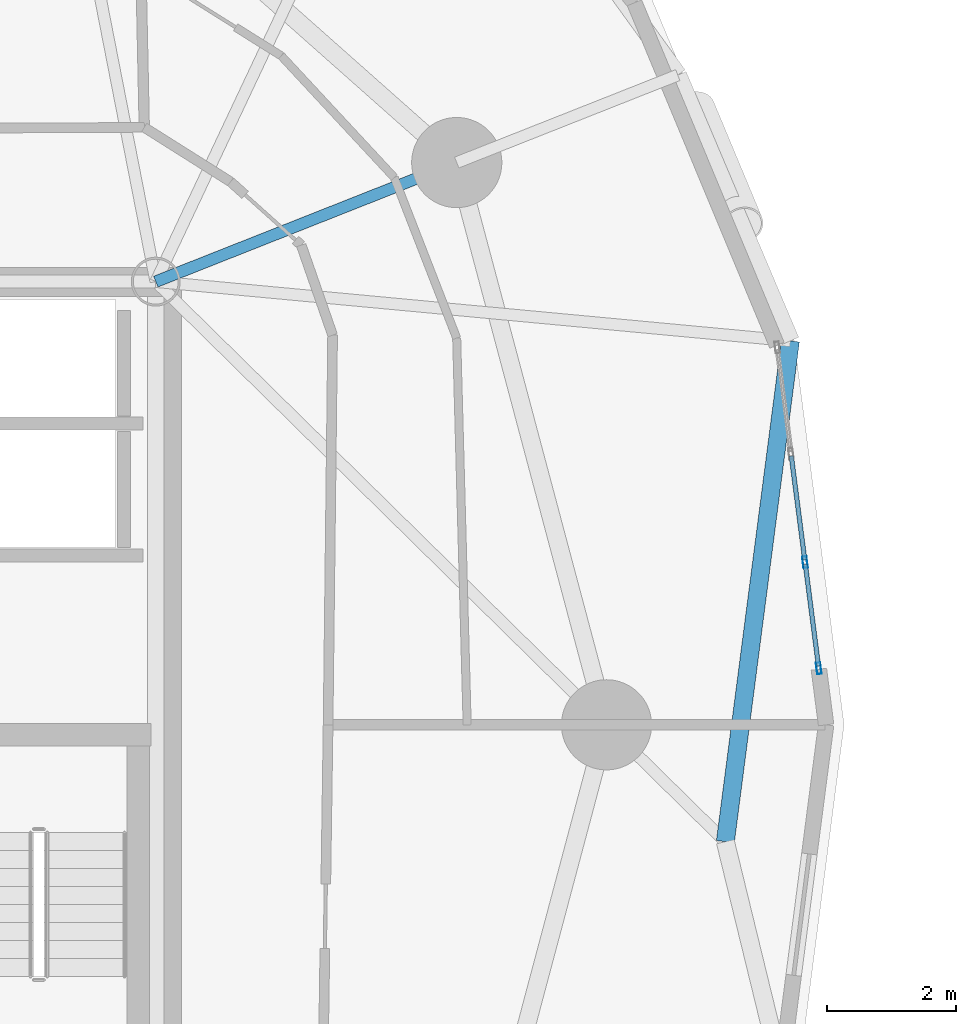
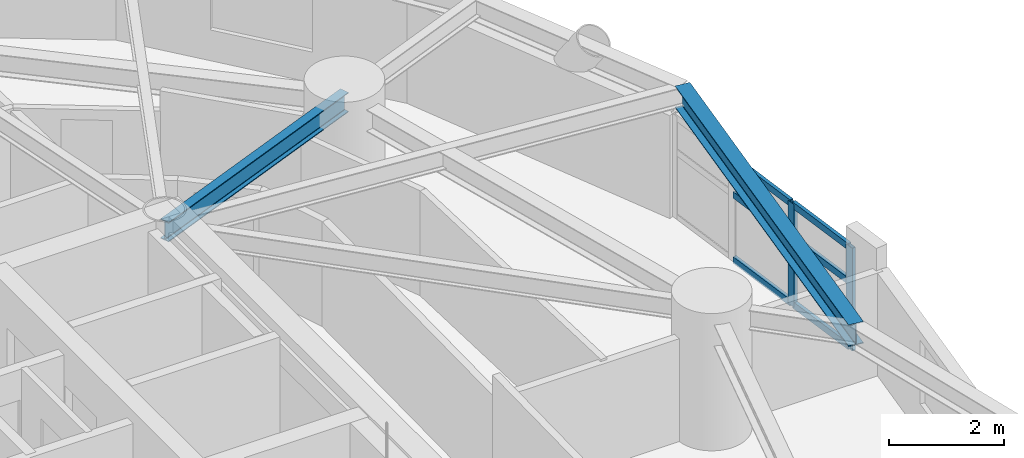
# One storey, part 2 of 18: 8 members, 2 beams, 1 element without a shape of its own.
"""IFC4 building model written with IfcOpenShell, lengths in metres."""

from ifc_helpers import new_model, si_unit, direction, frame, origin, origin_2d, place, context, subcontext, project, spatial, hollow_rectangle, i_section, extrude, material, layer, layer_set, material_profile, profile_set, type_object, element, aggregate, save


model = new_model("IFC4")

# Units and contexts
model_context = context("Model", 3, precision=1e-05, world=origin(), true_north=direction((0.0, 1.0)))
body_context = subcontext(model_context, "Body", "Model", "MODEL_VIEW")
ifc_project = project(units=[si_unit("LENGTHUNIT", "METRE"), si_unit("AREAUNIT", "SQUARE_METRE"), si_unit("VOLUMEUNIT", "CUBIC_METRE"), si_unit("PLANEANGLEUNIT", "RADIAN"), si_unit("MASSUNIT", "GRAM", prefix="KILO")], contexts=[model_context])

# Site, building, storey
site_placement = place(None, origin())
site = spatial("IfcSite", under=ifc_project, at=site_placement, CompositionType="ELEMENT")
building_placement = place(site_placement, origin())
building = spatial("IfcBuilding", under=site, at=building_placement, Name="Cununo Teusaquillo Station Towers", CompositionType="ELEMENT")
storey_placement = place(building_placement, frame((0.0, 0.0, 87.610107421875)))
storey = spatial("IfcBuildingStorey", under=building, at=storey_placement, Name="L27", CompositionType="ELEMENT", Elevation=87.610107421875)

# Beams
ifc_material_1 = material(Name="Steel ASTM A572 Grade 50", Category="steel")
ifc_material_profile_1 = material_profile(ifc_material_1, i_section(OverallWidth=0.180908203125, OverallDepth=0.4169921875, WebThickness=0.010986328125, FlangeThickness=0.018310546875, FilletRadius=0.012939453125, at=origin_2d()), Name="W16X57")
ifc_profile_set_1 = profile_set([ifc_material_profile_1], Name="Steel ASTM A572 Grade 50")
beam_type_1 = type_object("IfcBeamType", Name="BM-RAD-G2", PredefinedType="BEAM", material=ifc_profile_set_1)
beam_1_placement = place(storey_placement, frame((21.675048828125, 31.3798828125, 2.46142578125), z_axis=(0.929864104313, 0.367903176814, 0.0), x_axis=(-0.367903176814, 0.929864104313, 0.0)))
element("IfcBeam", 1, at=beam_1_placement, inside=storey, type_object=beam_type_1, Name="L27 Tower A Radial Girder 02A", PredefinedType="BEAM", context=body_context, shape_type="SweptSolid", body=[
    extrude(i_section(OverallWidth=0.180908203125, OverallDepth=0.4169921875, WebThickness=0.010986328125, FlangeThickness=0.018310546875, FilletRadius=0.012939453125, at=origin_2d()), origin(), (0.0, 0.0, 1.0), 5.02490234375),
])
ifc_material_2 = material(Name="Steel ASTM A572 Grade 50", Category="steel")
ifc_material_profile_2 = material_profile(ifc_material_2, i_section(OverallWidth=0.280029296875, OverallDepth=0.462890625, WebThickness=0.0107421875, FlangeThickness=0.017333984375, FilletRadius=0.013916015625, at=origin_2d()), Name="W18X76")
ifc_profile_set_2 = profile_set([ifc_material_profile_2], Name="Steel ASTM A572 Grade 50")
beam_type_2 = type_object("IfcBeamType", Name="BM-RING-Z2", PredefinedType="SPANDREL", material=ifc_profile_set_2)
beam_2_placement = place(storey_placement, frame((30.51708984375, 22.685791015625, 2.4384765625), z_axis=(0.12888124113, 0.991660035337, 0.0), x_axis=(-0.991660035337, 0.12888124113, 0.0)))
element("IfcBeam", 2, at=beam_2_placement, inside=storey, type_object=beam_type_2, Name="L27 Tower A Spandrel Ring Beam 01", PredefinedType="SPANDREL", context=body_context, shape_type="SweptSolid", body=[
    extrude(i_section(OverallWidth=0.280029296875, OverallDepth=0.462890625, WebThickness=0.0107421875, FlangeThickness=0.017333984375, FilletRadius=0.013916015625, at=origin_2d()), origin(), (0.0, 0.0, 1.0), 7.840576171875),
])

# Curtain wall, members
ifc_material_3 = material(Name="Ceramic-fritted dark low-E double glazing", Category="glass")
ifc_layer = layer(ifc_material_3, 0.179931640625)
ifc_layer_set = layer_set([ifc_layer], Name="Ceramic-fritted dark low-E double glazing")
curtain_wall_type = type_object("IfcCurtainWallType", Name="CW-SYS-04", PredefinedType="USERDEFINED", material=ifc_layer_set)
curtain_wall_placement = place(storey_placement, origin())
curtain_wall = element("IfcCurtainWall", 3, at=curtain_wall_placement, inside=storey, type_object=curtain_wall_type, Name="L27 Tower A Facade Curtain Wall C00", ObjectType="FRITTED GLAZING", PredefinedType="USERDEFINED")
ifc_material_4 = material(Name="Anodised dark bronze aluminium EN AW-6063-T6", Category="aluminium")
ifc_material_profile_3 = material_profile(ifc_material_4, hollow_rectangle(XDim=0.070068359375, YDim=0.179931640625, WallThickness=0.00390625, at=origin_2d()), Name="CW-MULL-70x180")
ifc_profile_set_3 = profile_set([ifc_material_profile_3], Name="Anodised dark bronze aluminium EN AW-6063-T6")
member_type_1 = type_object("IfcMemberType", Name="CWM-180", PredefinedType="MULLION", material=ifc_profile_set_3)
member_1_placement = place(storey_placement, frame((31.754150390625, 27.0263671875, 0.0), z_axis=(0.0, 0.0, 1.0), x_axis=(0.991730764367, 0.128335852387, 0.0)))
member_1 = element("IfcMember", 4, at=member_1_placement, type_object=member_type_1, Name="CW-04 mullion 3", PredefinedType="MULLION", context=body_context, shape_type="SweptSolid", body=[
    extrude(hollow_rectangle(XDim=0.070068359375, YDim=0.179931640625, WallThickness=0.00390625, at=origin_2d()), origin(), (0.0, 0.0, 1.0), 2.178955078125),
])
member_2_placement = place(storey_placement, frame((31.967529296875, 25.377685546875, 0.0), z_axis=(0.0, 0.0, 1.0), x_axis=(0.991730764367, 0.128335852387, 0.0)))
member_2 = element("IfcMember", 5, at=member_2_placement, type_object=member_type_1, Name="CW-04 mullion 4", PredefinedType="MULLION", context=body_context, shape_type="SweptSolid", body=[
    extrude(hollow_rectangle(XDim=0.070068359375, YDim=0.179931640625, WallThickness=0.00390625, at=origin_2d()), origin(), (0.0, 0.0, 1.0), 2.178955078125),
])
ifc_material_5 = material(Name="Anodised dark bronze aluminium EN AW-6063-T6", Category="aluminium")
ifc_material_profile_4 = material_profile(ifc_material_5, hollow_rectangle(XDim=0.070068359375, YDim=0.139892578125, WallThickness=0.00390625, at=origin_2d()), Name="CW-TRAN-70x140")
ifc_profile_set_4 = profile_set([ifc_material_profile_4], Name="Anodised dark bronze aluminium EN AW-6063-T6")
member_type_2 = type_object("IfcMemberType", Name="CWT-140", PredefinedType="USERDEFINED", material=ifc_profile_set_4)
member_3_placement = place(storey_placement, frame((31.540771484375, 28.675048828125, 0.034912109375), z_axis=(0.128261686134, -0.991740359101, 0.0), x_axis=(0.991740359101, 0.128261686134, 0.0)))
member_3 = element("IfcMember", 6, at=member_3_placement, type_object=member_type_2, Name="CW-04 transom 2.1", ObjectType="TRANSOM", PredefinedType="USERDEFINED", context=body_context, shape_type="SweptSolid", body=[
    extrude(hollow_rectangle(XDim=0.070068359375, YDim=0.139892578125, WallThickness=0.00390625, at=origin_2d()), origin(), (0.0, 0.0, 1.0), 1.62744140625),
])
member_4_placement = place(storey_placement, frame((31.540771484375, 28.675048828125, 1.415771484375), z_axis=(0.128261686134, -0.991740359101, 0.0), x_axis=(0.991740359101, 0.128261686134, 0.0)))
member_4 = element("IfcMember", 7, at=member_4_placement, type_object=member_type_2, Name="CW-04 transom 2.2", ObjectType="TRANSOM", PredefinedType="USERDEFINED", context=body_context, shape_type="SweptSolid", body=[
    extrude(hollow_rectangle(XDim=0.070068359375, YDim=0.139892578125, WallThickness=0.00390625, at=origin_2d()), origin(), (0.0, 0.0, 1.0), 1.62744140625),
])
member_5_placement = place(storey_placement, frame((31.540771484375, 28.675048828125, 2.143798828125), z_axis=(0.128261686134, -0.991740359101, 0.0), x_axis=(0.991740359101, 0.128261686134, 0.0)))
member_5 = element("IfcMember", 8, at=member_5_placement, type_object=member_type_2, Name="CW-04 transom 2.3", ObjectType="TRANSOM", PredefinedType="USERDEFINED", context=body_context, shape_type="SweptSolid", body=[
    extrude(hollow_rectangle(XDim=0.070068359375, YDim=0.139892578125, WallThickness=0.00390625, at=origin_2d()), origin(), (0.0, 0.0, 1.0), 1.62744140625),
])
member_6_placement = place(storey_placement, frame((31.758544921875, 26.99169921875, 0.034912109375), z_axis=(0.128316698748, -0.991733242774, 0.0), x_axis=(0.991733242774, 0.128316698748, 0.0)))
member_6 = element("IfcMember", 9, at=member_6_placement, type_object=member_type_2, Name="CW-04 transom 3.1", ObjectType="TRANSOM", PredefinedType="USERDEFINED", context=body_context, shape_type="SweptSolid", body=[
    extrude(hollow_rectangle(XDim=0.070068359375, YDim=0.139892578125, WallThickness=0.00390625, at=origin_2d()), origin(), (0.0, 0.0, 1.0), 1.592529296875),
])
member_7_placement = place(storey_placement, frame((31.758544921875, 26.99169921875, 1.415771484375), z_axis=(0.128316698748, -0.991733242774, 0.0), x_axis=(0.991733242774, 0.128316698748, 0.0)))
member_7 = element("IfcMember", 10, at=member_7_placement, type_object=member_type_2, Name="CW-04 transom 3.2", ObjectType="TRANSOM", PredefinedType="USERDEFINED", context=body_context, shape_type="SweptSolid", body=[
    extrude(hollow_rectangle(XDim=0.070068359375, YDim=0.139892578125, WallThickness=0.00390625, at=origin_2d()), origin(), (0.0, 0.0, 1.0), 1.592529296875),
])
member_8_placement = place(storey_placement, frame((31.758544921875, 26.99169921875, 2.143798828125), z_axis=(0.128316698748, -0.991733242774, 0.0), x_axis=(0.991733242774, 0.128316698748, 0.0)))
member_8 = element("IfcMember", 11, at=member_8_placement, type_object=member_type_2, Name="CW-04 transom 3.3", ObjectType="TRANSOM", PredefinedType="USERDEFINED", context=body_context, shape_type="SweptSolid", body=[
    extrude(hollow_rectangle(XDim=0.070068359375, YDim=0.139892578125, WallThickness=0.00390625, at=origin_2d()), origin(), (0.0, 0.0, 1.0), 1.592529296875),
])
aggregate(curtain_wall, [member_1, member_2, member_3, member_4, member_5, member_6, member_7, member_8])

save(model, "model.ifc")
